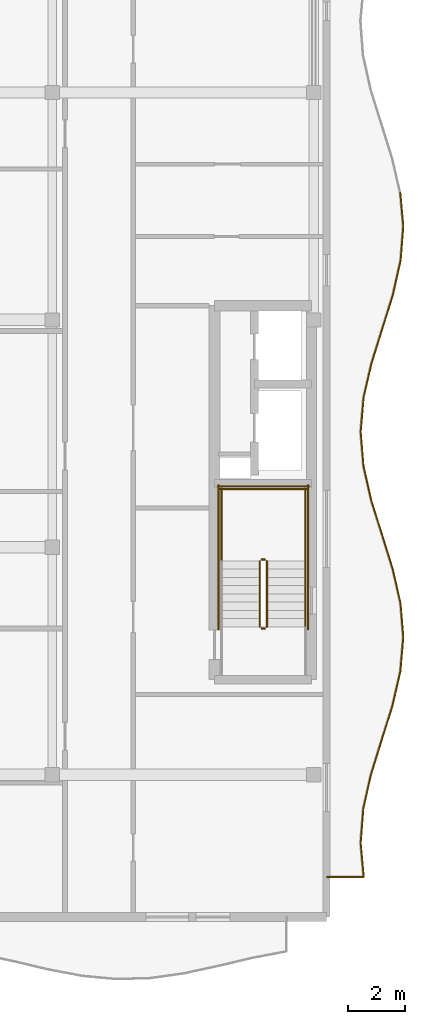
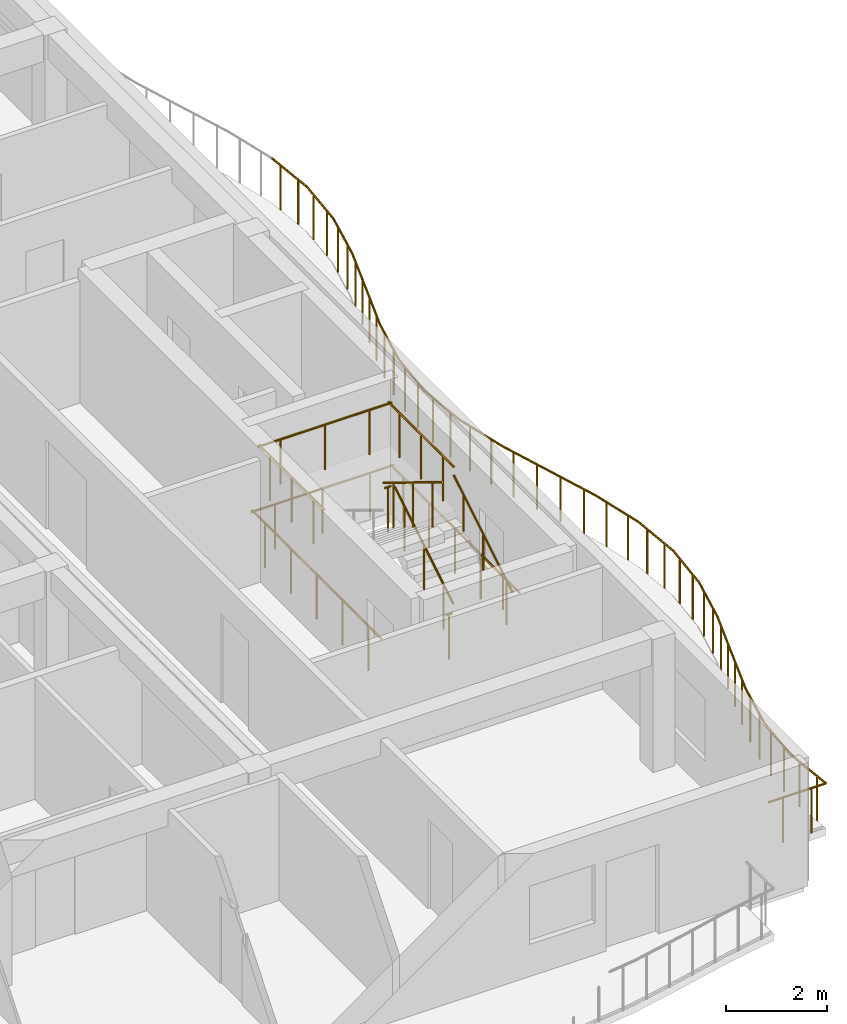
# One storey, part 38 of 39: 32 railings.
"""IFC4 building model written with IfcOpenShell, lengths in metres."""

from ifc_helpers import new_model, si_unit, direction, frame, origin, origin_2d, place, context, subcontext, project, spatial, circle, extrude, material, type_object, element, save


model = new_model("IFC4")

# Units and contexts
model_context = context("Model", 3, precision=1e-05, world=origin(), true_north=direction((0.0, 1.0)))
body_context = subcontext(model_context, "Body", "Model", "MODEL_VIEW")
ifc_project = project(units=[si_unit("LENGTHUNIT", "METRE"), si_unit("AREAUNIT", "SQUARE_METRE"), si_unit("VOLUMEUNIT", "CUBIC_METRE"), si_unit("PLANEANGLEUNIT", "RADIAN"), si_unit("MASSUNIT", "GRAM", prefix="KILO")], contexts=[model_context])

# Site, building, storey
site_placement = place(None, origin())
site = spatial("IfcSite", under=ifc_project, at=site_placement, CompositionType="ELEMENT")
building_placement = place(site_placement, origin())
building = spatial("IfcBuilding", under=site, at=building_placement, Name="Keldmere Railside Commons", CompositionType="ELEMENT")
storey_placement = place(building_placement, frame((0.0, 0.0, 32.9599609375)))
storey = spatial("IfcBuildingStorey", under=building, at=storey_placement, Name="L10", CompositionType="ELEMENT", Elevation=32.9599609375)

# Railings
ifc_material = material(Name="Steel F-24 (S235)", Category="steel")
railing_type_1 = type_object("IfcRailingType", Name="Balcony & Terrace Steel Balustrade 1100", PredefinedType="BALUSTRADE", material=ifc_material)
railing_1_placement = place(storey_placement, frame((184.0, 60.39990234375, 0.0)))
element("IfcRailing", 1, at=railing_1_placement, inside=storey, type_object=railing_type_1, Name="GR-1 GRD-L10-4362", PredefinedType="BALUSTRADE", context=body_context, shape_type="SweptSolid", body=[
    extrude(circle(Radius=0.02392578125, at=origin_2d()), frame((0.0, 0.0, 1.076171875), z_axis=(1.0, 0.0, 0.0), x_axis=(0.0, 1.0, 0.0)), (0.0, 0.0, 1.0), 1.308837890625),
    extrude(circle(Radius=0.02099609375, at=origin_2d()), frame((0.3271484375, 0.0, 0.0)), (0.0, 0.0, 1.0), 1.048095703125),
    extrude(circle(Radius=0.02099609375, at=origin_2d()), frame((0.981689453125, 0.0, 0.0)), (0.0, 0.0, 1.0), 1.048095703125),
])
railing_2_placement = place(storey_placement, frame((185.308837890625, 60.39990234375, 0.0)))
element("IfcRailing", 2, at=railing_2_placement, inside=storey, type_object=railing_type_1, Name="GR-1 GRD-L10-4363", PredefinedType="BALUSTRADE", context=body_context, shape_type="SweptSolid", body=[
    extrude(circle(Radius=0.02392578125, at=origin_2d()), frame((0.0, 0.0, 1.076171875), z_axis=(-0.089807862962, 0.995959109477, 0.0), x_axis=(-0.995959109477, -0.089807862962, 0.0)), (0.0, 0.0, 1.0), 1.209716796875),
    extrude(circle(Radius=0.02099609375, at=origin_2d()), frame((-0.027099609375, 0.30126953125, 0.0)), (0.0, 0.0, 1.0), 1.048095703125),
    extrude(circle(Radius=0.02099609375, at=origin_2d()), frame((-0.08154296875, 0.903564453125, 0.0)), (0.0, 0.0, 1.0), 1.048095703125),
])
railing_3_placement = place(storey_placement, frame((185.2001953125, 61.604736328125, 0.0)))
element("IfcRailing", 3, at=railing_3_placement, inside=storey, type_object=railing_type_1, Name="GR-1 GRD-L10-4364", PredefinedType="BALUSTRADE", context=body_context, shape_type="SweptSolid", body=[
    extrude(circle(Radius=0.02392578125, at=origin_2d()), frame((0.0, 0.0, 1.076171875), z_axis=(0.077592682401, 0.996985143138, 0.0), x_axis=(-0.996985143138, 0.077592682401, 0.0)), (0.0, 0.0, 1.0), 1.208251953125),
    extrude(circle(Radius=0.02099609375, at=origin_2d()), frame((0.0234375, 0.30126953125, 0.0)), (0.0, 0.0, 1.0), 1.048095703125),
    extrude(circle(Radius=0.02099609375, at=origin_2d()), frame((0.0703125, 0.9033203125, 0.0)), (0.0, 0.0, 1.0), 1.048095703125),
])
railing_4_placement = place(storey_placement, frame((185.2939453125, 62.809326171875, 0.0)))
element("IfcRailing", 4, at=railing_4_placement, inside=storey, type_object=railing_type_1, Name="GR-1 GRD-L10-4365", PredefinedType="BALUSTRADE", context=body_context, shape_type="SweptSolid", body=[
    extrude(circle(Radius=0.02392578125, at=origin_2d()), frame((0.0, 0.0, 1.076171875), z_axis=(0.219295744117, 0.975658432348, 0.0), x_axis=(-0.975658432348, 0.219295744117, 0.0)), (0.0, 0.0, 1.0), 1.234619140625),
    extrude(circle(Radius=0.02099609375, at=origin_2d()), frame((0.067626953125, 0.30126953125, 0.0)), (0.0, 0.0, 1.0), 1.048095703125),
    extrude(circle(Radius=0.02099609375, at=origin_2d()), frame((0.203125, 0.9033203125, 0.0)), (0.0, 0.0, 1.0), 1.048095703125),
])
railing_5_placement = place(storey_placement, frame((185.564697265625, 64.013916015625, 0.0)))
element("IfcRailing", 5, at=railing_5_placement, inside=storey, type_object=railing_type_1, Name="GR-1 GRD-L10-4366", PredefinedType="BALUSTRADE", context=body_context, shape_type="SweptSolid", body=[
    extrude(circle(Radius=0.02392578125, at=origin_2d()), frame((0.0, 0.0, 1.076171875), z_axis=(0.297239064551, 0.954803088864, 0.0), x_axis=(-0.954803088864, 0.297239064551, 0.0)), (0.0, 0.0, 1.0), 1.26171875),
    extrude(circle(Radius=0.02099609375, at=origin_2d()), frame((0.09375, 0.30126953125, 0.0)), (0.0, 0.0, 1.0), 1.048095703125),
    extrude(circle(Radius=0.02099609375, at=origin_2d()), frame((0.28125, 0.9033203125, 0.0)), (0.0, 0.0, 1.0), 1.048095703125),
])
railing_6_placement = place(storey_placement, frame((185.939697265625, 65.218505859375, 0.0)))
element("IfcRailing", 6, at=railing_6_placement, inside=storey, type_object=railing_type_1, Name="GR-1 GRD-L10-4367", PredefinedType="BALUSTRADE", context=body_context, shape_type="SweptSolid", body=[
    extrude(circle(Radius=0.02392578125, at=origin_2d()), frame((0.0, 0.0, 1.076171875), z_axis=(0.299122616758, 0.954214682419, 0.0), x_axis=(-0.954214682419, 0.299122616758, 0.0)), (0.0, 0.0, 1.0), 1.2626953125),
    extrude(circle(Radius=0.02099609375, at=origin_2d()), frame((0.094482421875, 0.30126953125, 0.0)), (0.0, 0.0, 1.0), 1.048095703125),
    extrude(circle(Radius=0.02099609375, at=origin_2d()), frame((0.283203125, 0.903564453125, 0.0)), (0.0, 0.0, 1.0), 1.048095703125),
])
railing_7_placement = place(storey_placement, frame((186.3173828125, 66.42333984375, 0.0)))
element("IfcRailing", 7, at=railing_7_placement, inside=storey, type_object=railing_type_1, Name="GR-1 GRD-L10-4368", PredefinedType="BALUSTRADE", context=body_context, shape_type="SweptSolid", body=[
    extrude(circle(Radius=0.02392578125, at=origin_2d()), frame((0.0, 0.0, 1.076171875), z_axis=(0.225119097915, 0.974331253606, 0.0), x_axis=(-0.974331253606, 0.225119097915, 0.0)), (0.0, 0.0, 1.0), 1.236328125),
    extrude(circle(Radius=0.02099609375, at=origin_2d()), frame((0.069580078125, 0.30126953125, 0.0)), (0.0, 0.0, 1.0), 1.048095703125),
    extrude(circle(Radius=0.02099609375, at=origin_2d()), frame((0.208740234375, 0.9033203125, 0.0)), (0.0, 0.0, 1.0), 1.048095703125),
])
railing_8_placement = place(storey_placement, frame((186.595703125, 67.6279296875, 0.0)))
element("IfcRailing", 8, at=railing_8_placement, inside=storey, type_object=railing_type_1, Name="GR-1 GRD-L10-4369", PredefinedType="BALUSTRADE", context=body_context, shape_type="SweptSolid", body=[
    extrude(circle(Radius=0.02392578125, at=origin_2d()), frame((0.0, 0.0, 1.076171875), z_axis=(0.086220085329, 0.996276114782, 0.0), x_axis=(-0.996276114782, 0.086220085329, 0.0)), (0.0, 0.0, 1.0), 1.208984375),
    extrude(circle(Radius=0.02099609375, at=origin_2d()), frame((0.026123046875, 0.30126953125, 0.0)), (0.0, 0.0, 1.0), 1.048095703125),
    extrude(circle(Radius=0.02099609375, at=origin_2d()), frame((0.078125, 0.9033203125, 0.0)), (0.0, 0.0, 1.0), 1.048095703125),
])
railing_9_placement = place(storey_placement, frame((186.699951171875, 68.83251953125, 0.0)))
element("IfcRailing", 9, at=railing_9_placement, inside=storey, type_object=railing_type_1, Name="GR-1 GRD-L10-4370", PredefinedType="BALUSTRADE", context=body_context, shape_type="SweptSolid", body=[
    extrude(circle(Radius=0.02392578125, at=origin_2d()), frame((0.0, 0.0, 1.076171875), z_axis=(-0.081206387834, 0.996697307398, 0.0), x_axis=(-0.996697307398, -0.081206387834, 0.0)), (0.0, 0.0, 1.0), 1.20849609375),
    extrude(circle(Radius=0.02099609375, at=origin_2d()), frame((-0.0244140625, 0.30126953125, 0.0)), (0.0, 0.0, 1.0), 1.048095703125),
    extrude(circle(Radius=0.02099609375, at=origin_2d()), frame((-0.07373046875, 0.9033203125, 0.0)), (0.0, 0.0, 1.0), 1.048095703125),
])
railing_10_placement = place(storey_placement, frame((186.601806640625, 70.037109375, 0.0)))
element("IfcRailing", 10, at=railing_10_placement, inside=storey, type_object=railing_type_1, Name="GR-1 GRD-L10-4371", PredefinedType="BALUSTRADE", context=body_context, shape_type="SweptSolid", body=[
    extrude(circle(Radius=0.02392578125, at=origin_2d()), frame((0.0, 0.0, 1.076171875), z_axis=(-0.222073676581, 0.975029887834, 0.0), x_axis=(-0.975029887834, -0.222073676581, 0.0)), (0.0, 0.0, 1.0), 1.235595703125),
    extrude(circle(Radius=0.02099609375, at=origin_2d()), frame((-0.068603515625, 0.30126953125, 0.0)), (0.0, 0.0, 1.0), 1.048095703125),
    extrude(circle(Radius=0.02099609375, at=origin_2d()), frame((-0.205810546875, 0.903564453125, 0.0)), (0.0, 0.0, 1.0), 1.048095703125),
])
railing_11_placement = place(storey_placement, frame((186.327392578125, 71.241943359375, 0.0)))
element("IfcRailing", 11, at=railing_11_placement, inside=storey, type_object=railing_type_1, Name="GR-1 GRD-L10-4372", PredefinedType="BALUSTRADE", context=body_context, shape_type="SweptSolid", body=[
    extrude(circle(Radius=0.02392578125, at=origin_2d()), frame((0.0, 0.0, 1.076171875), z_axis=(-0.297944491927, 0.954583196862, 0.0), x_axis=(-0.954583196862, -0.297944491927, 0.0)), (0.0, 0.0, 1.0), 1.261962890625),
    extrude(circle(Radius=0.02099609375, at=origin_2d()), frame((-0.093994140625, 0.30126953125, 0.0)), (0.0, 0.0, 1.0), 1.048095703125),
    extrude(circle(Radius=0.02099609375, at=origin_2d()), frame((-0.281982421875, 0.9033203125, 0.0)), (0.0, 0.0, 1.0), 1.048095703125),
])
railing_12_placement = place(storey_placement, frame((185.951416015625, 72.446533203125, 0.0)))
element("IfcRailing", 12, at=railing_12_placement, inside=storey, type_object=railing_type_1, Name="GR-1 GRD-L10-4373", PredefinedType="BALUSTRADE", context=body_context, shape_type="SweptSolid", body=[
    extrude(circle(Radius=0.02392578125, at=origin_2d()), frame((0.0, 0.0, 1.076171875), z_axis=(-0.298473242385, 0.954418002544, 0.0), x_axis=(-0.954418002544, -0.298473242385, 0.0)), (0.0, 0.0, 1.0), 1.26220703125),
    extrude(circle(Radius=0.02099609375, at=origin_2d()), frame((-0.09423828125, 0.30126953125, 0.0)), (0.0, 0.0, 1.0), 1.048095703125),
    extrude(circle(Radius=0.02099609375, at=origin_2d()), frame((-0.282470703125, 0.9033203125, 0.0)), (0.0, 0.0, 1.0), 1.048095703125),
])
railing_13_placement = place(storey_placement, frame((185.57470703125, 73.651123046875, 0.0)))
element("IfcRailing", 13, at=railing_13_placement, inside=storey, type_object=railing_type_1, Name="GR-1 GRD-L10-4374", PredefinedType="BALUSTRADE", context=body_context, shape_type="SweptSolid", body=[
    extrude(circle(Radius=0.02392578125, at=origin_2d()), frame((0.0, 0.0, 1.076171875), z_axis=(-0.22267994318, 0.974891605721, 0.0), x_axis=(-0.974891605721, -0.22267994318, 0.0)), (0.0, 0.0, 1.0), 1.235595703125),
    extrude(circle(Radius=0.02099609375, at=origin_2d()), frame((-0.06884765625, 0.30126953125, 0.0)), (0.0, 0.0, 1.0), 1.048095703125),
    extrude(circle(Radius=0.02099609375, at=origin_2d()), frame((-0.206298828125, 0.9033203125, 0.0)), (0.0, 0.0, 1.0), 1.048095703125),
])
railing_14_placement = place(storey_placement, frame((185.299560546875, 74.855712890625, 0.0)))
element("IfcRailing", 14, at=railing_14_placement, inside=storey, type_object=railing_type_1, Name="GR-1 GRD-L10-4375", PredefinedType="BALUSTRADE", context=body_context, shape_type="SweptSolid", body=[
    extrude(circle(Radius=0.02392578125, at=origin_2d()), frame((0.0, 0.0, 1.076171875), z_axis=(-0.082393666353, 0.996599861401, 0.0), x_axis=(-0.996599861401, -0.082393666353, 0.0)), (0.0, 0.0, 1.0), 1.208984375),
    extrude(circle(Radius=0.02099609375, at=origin_2d()), frame((-0.02490234375, 0.30126953125, 0.0)), (0.0, 0.0, 1.0), 1.048095703125),
    extrude(circle(Radius=0.02099609375, at=origin_2d()), frame((-0.07470703125, 0.903564453125, 0.0)), (0.0, 0.0, 1.0), 1.048095703125),
])
railing_15_placement = place(storey_placement, frame((185.199951171875, 76.060546875, 0.0)))
element("IfcRailing", 15, at=railing_15_placement, inside=storey, type_object=railing_type_1, Name="GR-1 GRD-L10-4376", PredefinedType="BALUSTRADE", context=body_context, shape_type="SweptSolid", body=[
    extrude(circle(Radius=0.02392578125, at=origin_2d()), frame((0.0, 0.0, 1.076171875), z_axis=(0.085217857392, 0.996362342113, 0.0), x_axis=(-0.996362342113, 0.085217857392, 0.0)), (0.0, 0.0, 1.0), 1.208984375),
    extrude(circle(Radius=0.02099609375, at=origin_2d()), frame((0.02587890625, 0.30126953125, 0.0)), (0.0, 0.0, 1.0), 1.048095703125),
    extrude(circle(Radius=0.02099609375, at=origin_2d()), frame((0.0771484375, 0.9033203125, 0.0)), (0.0, 0.0, 1.0), 1.048095703125),
])
railing_16_placement = place(storey_placement, frame((185.302978515625, 77.26513671875, 0.0)))
element("IfcRailing", 16, at=railing_16_placement, inside=storey, type_object=railing_type_1, Name="GR-1 GRD-L10-4377", PredefinedType="BALUSTRADE", context=body_context, shape_type="SweptSolid", body=[
    extrude(circle(Radius=0.02392578125, at=origin_2d()), frame((0.0, 0.0, 1.076171875), z_axis=(0.224556589758, 0.974461050015, 0.0), x_axis=(-0.974461050015, 0.224556589758, 0.0)), (0.0, 0.0, 1.0), 1.236083984375),
    extrude(circle(Radius=0.02099609375, at=origin_2d()), frame((0.0693359375, 0.30126953125, 0.0)), (0.0, 0.0, 1.0), 1.048095703125),
    extrude(circle(Radius=0.02099609375, at=origin_2d()), frame((0.208251953125, 0.9033203125, 0.0)), (0.0, 0.0, 1.0), 1.048095703125),
])
railing_17_placement = place(storey_placement, frame((185.58056640625, 78.4697265625, 0.0)))
element("IfcRailing", 17, at=railing_17_placement, inside=storey, type_object=railing_type_1, Name="GR-1 GRD-L10-4378", PredefinedType="BALUSTRADE", context=body_context, shape_type="SweptSolid", body=[
    extrude(circle(Radius=0.02392578125, at=origin_2d()), frame((0.0, 0.0, 1.076171875), z_axis=(0.299001718164, 0.954252572716, 0.0), x_axis=(-0.954252572716, 0.299001718164, 0.0)), (0.0, 0.0, 1.0), 1.262451171875),
    extrude(circle(Radius=0.02099609375, at=origin_2d()), frame((0.09423828125, 0.30126953125, 0.0)), (0.0, 0.0, 1.0), 1.048095703125),
    extrude(circle(Radius=0.02099609375, at=origin_2d()), frame((0.283203125, 0.9033203125, 0.0)), (0.0, 0.0, 1.0), 1.048095703125),
])
railing_18_placement = place(storey_placement, frame((185.9580078125, 79.67431640625, 0.0)))
element("IfcRailing", 18, at=railing_18_placement, inside=storey, type_object=railing_type_1, Name="GR-1 GRD-L10-4379", PredefinedType="BALUSTRADE", context=body_context, shape_type="SweptSolid", body=[
    extrude(circle(Radius=0.02392578125, at=origin_2d()), frame((0.0, 0.0, 1.076171875), z_axis=(0.297184153719, 0.954820181384, 0.0), x_axis=(-0.954820181384, 0.297184153719, 0.0)), (0.0, 0.0, 1.0), 1.261962890625),
    extrude(circle(Radius=0.02099609375, at=origin_2d()), frame((0.09375, 0.30126953125, 0.0)), (0.0, 0.0, 1.0), 1.048095703125),
    extrude(circle(Radius=0.02099609375, at=origin_2d()), frame((0.28125, 0.903564453125, 0.0)), (0.0, 0.0, 1.0), 1.048095703125),
])
railing_19_placement = place(storey_placement, frame((186.3330078125, 80.879150390625, 0.0)))
element("IfcRailing", 19, at=railing_19_placement, inside=storey, type_object=railing_type_1, Name="GR-1 GRD-L10-4380", PredefinedType="BALUSTRADE", context=body_context, shape_type="SweptSolid", body=[
    extrude(circle(Radius=0.02392578125, at=origin_2d()), frame((0.0, 0.0, 1.076171875), z_axis=(0.22023659942, 0.975446482528, 0.0), x_axis=(-0.975446482528, 0.22023659942, 0.0)), (0.0, 0.0, 1.0), 1.23486328125),
    extrude(circle(Radius=0.02099609375, at=origin_2d()), frame((0.06787109375, 0.30126953125, 0.0)), (0.0, 0.0, 1.0), 1.048095703125),
    extrude(circle(Radius=0.02099609375, at=origin_2d()), frame((0.2041015625, 0.9033203125, 0.0)), (0.0, 0.0, 1.0), 1.048095703125),
])
railing_20_placement = place(storey_placement, frame((186.60498046875, 82.083740234375, 0.0)))
element("IfcRailing", 20, at=railing_20_placement, inside=storey, type_object=railing_type_1, Name="GR-1 GRD-L10-4381", PredefinedType="BALUSTRADE", context=body_context, shape_type="SweptSolid", body=[
    extrude(circle(Radius=0.02392578125, at=origin_2d()), frame((0.0, 0.0, 1.076171875), z_axis=(0.078596802435, 0.99690648641, 0.0), x_axis=(-0.99690648641, 0.078596802435, 0.0)), (0.0, 0.0, 1.0), 1.208251953125),
    extrude(circle(Radius=0.02099609375, at=origin_2d()), frame((0.023681640625, 0.30126953125, 0.0)), (0.0, 0.0, 1.0), 1.048095703125),
    extrude(circle(Radius=0.02099609375, at=origin_2d()), frame((0.0712890625, 0.9033203125, 0.0)), (0.0, 0.0, 1.0), 1.048095703125),
])
railing_21_placement = place(storey_placement, frame((186.699951171875, 83.288330078125, 0.0)))
element("IfcRailing", 21, at=railing_21_placement, inside=storey, type_object=railing_type_1, Name="GR-1 GRD-L10-4382", PredefinedType="BALUSTRADE", context=body_context, shape_type="SweptSolid", body=[
    extrude(circle(Radius=0.02392578125, at=origin_2d()), frame((0.0, 0.0, 1.076171875), z_axis=(-0.089024921944, 0.9960293988, 0.0), x_axis=(-0.9960293988, -0.089024921944, 0.0)), (0.0, 0.0, 1.0), 1.20947265625),
    extrude(circle(Radius=0.02099609375, at=origin_2d()), frame((-0.02685546875, 0.30126953125, 0.0)), (0.0, 0.0, 1.0), 1.048095703125),
    extrude(circle(Radius=0.02099609375, at=origin_2d()), frame((-0.080810546875, 0.9033203125, 0.0)), (0.0, 0.0, 1.0), 1.048095703125),
])
railing_type_2 = type_object("IfcRailingType", Name="Stair Well Steel Guardrail 1100", PredefinedType="BALUSTRADE", material=ifc_material)
railing_22_placement = place(storey_placement, frame((181.89990234375, 69.199951171875, 0.177734375)))
element("IfcRailing", 22, at=railing_22_placement, inside=storey, type_object=railing_type_2, Name="L10 ST-A1 stair guard 1", PredefinedType="BALUSTRADE", context=body_context, shape_type="SweptSolid", body=[
    extrude(circle(Radius=0.02392578125, at=origin_2d()), frame((0.0, 0.0, 1.076171875), z_axis=(0.0, 0.852538067394, 0.522665135287), x_axis=(-1.0, 0.0, 0.0)), (0.0, 0.0, 1.0), 2.721435546875),
    extrude(circle(Radius=0.02099609375, at=origin_2d()), frame((0.0, 0.38671875, 0.237060546875)), (0.0, 0.0, 1.0), 1.048095703125),
    extrude(circle(Radius=0.02099609375, at=origin_2d()), frame((0.0, 1.16015625, 0.711181640625)), (0.0, 0.0, 1.0), 1.048095703125),
    extrude(circle(Radius=0.02099609375, at=origin_2d()), frame((0.0, 1.933349609375, 1.185302734375)), (0.0, 0.0, 1.0), 1.048095703125),
])
railing_23_placement = place(storey_placement, frame((181.85009765625, 71.570068359375, 1.60009765625)))
element("IfcRailing", 23, at=railing_23_placement, inside=storey, type_object=railing_type_2, Name="L10 ST-A1 stair guard 2", PredefinedType="BALUSTRADE", context=body_context, shape_type="SweptSolid", body=[
    extrude(circle(Radius=0.02392578125, at=origin_2d()), frame((0.0, 0.0, 1.076171875), z_axis=(-1.0, 0.0, 0.0), x_axis=(0.0, -1.0, 0.0)), (0.0, 0.0, 1.0), 0.150146484375),
    extrude(circle(Radius=0.02099609375, at=origin_2d()), frame((-0.0751953125, 0.0, 0.0)), (0.0, 0.0, 1.0), 1.048095703125),
])
for number, where, name in (
    (24, (183.25, 71.52001953125, 1.60009765625), "L10 ST-A1 stair guard 3"),
    (25, (180.300048828125, 71.52001953125, 1.60009765625), "L10 ST-A1 stair guard 4"),
):
    element("IfcRailing", number, at=place(storey_placement, frame(where)), inside=storey, type_object=railing_type_2, Name=name, PredefinedType="BALUSTRADE", context=body_context, shape_type="SweptSolid", body=[
        extrude(circle(Radius=0.02392578125, at=origin_2d()), frame((0.0, 0.0, 1.076171875), z_axis=(0.0, 1.0, 0.0), x_axis=(-1.0, 0.0, 0.0)), (0.0, 0.0, 1.0), 2.580078125),
        extrude(circle(Radius=0.02099609375, at=origin_2d()), frame((0.0, 0.429931640625, 0.0)), (0.0, 0.0, 1.0), 1.048095703125),
        extrude(circle(Radius=0.02099609375, at=origin_2d()), frame((0.0, 1.2900390625, 0.0)), (0.0, 0.0, 1.0), 1.048095703125),
        extrude(circle(Radius=0.02099609375, at=origin_2d()), frame((0.0, 2.150146484375, 0.0)), (0.0, 0.0, 1.0), 1.048095703125),
    ])
railing_24_placement = place(storey_placement, frame((183.300048828125, 74.050048828125, 1.60009765625)))
element("IfcRailing", 26, at=railing_24_placement, inside=storey, type_object=railing_type_2, Name="L10 ST-A1 stair guard 5", PredefinedType="BALUSTRADE", context=body_context, shape_type="SweptSolid", body=[
    extrude(circle(Radius=0.02392578125, at=origin_2d()), frame((0.0, 0.0, 1.076171875), z_axis=(-1.0, 0.0, 0.0), x_axis=(0.0, -1.0, 0.0)), (0.0, 0.0, 1.0), 3.050048828125),
    extrude(circle(Radius=0.02099609375, at=origin_2d()), frame((-0.50830078125, 0.0, 0.0)), (0.0, 0.0, 1.0), 1.048095703125),
    extrude(circle(Radius=0.02099609375, at=origin_2d()), frame((-1.52490234375, 0.0, 0.0)), (0.0, 0.0, 1.0), 1.048095703125),
    extrude(circle(Radius=0.02099609375, at=origin_2d()), frame((-2.541748046875, 0.0, 0.0)), (0.0, 0.0, 1.0), 1.048095703125),
])
railing_25_placement = place(storey_placement, frame((181.64990234375, 71.52001953125, 1.77783203125)))
element("IfcRailing", 27, at=railing_25_placement, inside=storey, type_object=railing_type_2, Name="L10 ST-A1 stair guard 6", PredefinedType="BALUSTRADE", context=body_context, shape_type="SweptSolid", body=[
    extrude(circle(Radius=0.02392578125, at=origin_2d()), frame((0.0, 0.0, 1.076171875), z_axis=(0.0, -0.852578041948, 0.522599925744), x_axis=(1.0, 0.0, 0.0)), (0.0, 0.0, 1.0), 2.72119140625),
    extrude(circle(Radius=0.02099609375, at=origin_2d()), frame((0.0, -0.38671875, 0.237060546875)), (0.0, 0.0, 1.0), 1.048095703125),
    extrude(circle(Radius=0.02099609375, at=origin_2d()), frame((0.0, -1.16015625, 0.7109375)), (0.0, 0.0, 1.0), 1.048095703125),
    extrude(circle(Radius=0.02099609375, at=origin_2d()), frame((0.0, -1.933349609375, 1.18505859375)), (0.0, 0.0, 1.0), 1.048095703125),
])
railing_26_placement = place(storey_placement, frame((181.85009765625, 69.14990234375, 0.0)))
element("IfcRailing", 28, at=railing_26_placement, inside=storey, type_object=railing_type_2, Name="L10 ST-A1 stair guard 7", PredefinedType="BALUSTRADE", context=body_context, shape_type="SweptSolid", body=[
    extrude(circle(Radius=0.02392578125, at=origin_2d()), frame((0.0, 0.0, 1.076171875), z_axis=(-1.0, 0.0, 0.0), x_axis=(0.0, -1.0, 0.0)), (0.0, 0.0, 1.0), 0.150146484375),
    extrude(circle(Radius=0.02099609375, at=origin_2d()), frame((-0.0751953125, 0.0, 0.0)), (0.0, 0.0, 1.0), 1.048095703125),
])
for number, where, name in (
    (29, (183.35009765625, 69.10009765625, 0.0), "L10 ST-A1 stair guard 10"),
    (30, (180.199951171875, 69.10009765625, 0.0), "L10 ST-A1 stair guard 11"),
):
    element("IfcRailing", number, at=place(storey_placement, frame(where)), inside=storey, type_object=railing_type_2, Name=name, PredefinedType="BALUSTRADE", context=body_context, shape_type="SweptSolid", body=[
        extrude(circle(Radius=0.02392578125, at=origin_2d()), frame((0.0, 0.0, 1.076171875), z_axis=(0.0, 1.0, 0.0), x_axis=(-1.0, 0.0, 0.0)), (0.0, 0.0, 1.0), 5.099853515625),
        extrude(circle(Radius=0.02099609375, at=origin_2d()), frame((0.0, 0.510009765625, 0.0)), (0.0, 0.0, 1.0), 1.048095703125),
        extrude(circle(Radius=0.02099609375, at=origin_2d()), frame((0.0, 1.530029296875, 0.0)), (0.0, 0.0, 1.0), 1.048095703125),
        extrude(circle(Radius=0.02099609375, at=origin_2d()), frame((0.0, 2.5498046875, 0.0)), (0.0, 0.0, 1.0), 1.048095703125),
        extrude(circle(Radius=0.02099609375, at=origin_2d()), frame((0.0, 3.56982421875, 0.0)), (0.0, 0.0, 1.0), 1.048095703125),
        extrude(circle(Radius=0.02099609375, at=origin_2d()), frame((0.0, 4.58984375, 0.0)), (0.0, 0.0, 1.0), 1.048095703125),
    ])
railing_27_placement = place(storey_placement, frame((183.39990234375, 74.14990234375, 0.0)))
element("IfcRailing", 31, at=railing_27_placement, inside=storey, type_object=railing_type_2, Name="L10 ST-A1 stair guard 12", PredefinedType="BALUSTRADE", context=body_context, shape_type="SweptSolid", body=[
    extrude(circle(Radius=0.02392578125, at=origin_2d()), frame((0.0, 0.0, 1.076171875), z_axis=(-1.0, 0.0, 0.0), x_axis=(0.0, -1.0, 0.0)), (0.0, 0.0, 1.0), 3.25),
    extrude(circle(Radius=0.02099609375, at=origin_2d()), frame((-0.541748046875, 0.0, 0.0)), (0.0, 0.0, 1.0), 1.048095703125),
    extrude(circle(Radius=0.02099609375, at=origin_2d()), frame((-1.625, 0.0, 0.0)), (0.0, 0.0, 1.0), 1.048095703125),
    extrude(circle(Radius=0.02099609375, at=origin_2d()), frame((-2.708251953125, 0.0, 0.0)), (0.0, 0.0, 1.0), 1.048095703125),
])
railing_type_3 = type_object("IfcRailingType", Name="Wall-Mounted Tubular Steel Handrail 900", PredefinedType="HANDRAIL", material=ifc_material)
railing_28_placement = place(storey_placement, frame((183.25, 69.199951171875, 0.177734375)))
element("IfcRailing", 32, at=railing_28_placement, inside=storey, type_object=railing_type_3, Name="L10 ST-A1 stair handrail 1", PredefinedType="HANDRAIL", context=body_context, shape_type="SweptSolid", body=[
    extrude(circle(Radius=0.02392578125, at=origin_2d()), frame((0.0, 0.0, 0.8759765625), z_axis=(0.0, 0.852538067394, 0.522665135287), x_axis=(-1.0, 0.0, 0.0)), (0.0, 0.0, 1.0), 2.721435546875),
    extrude(circle(Radius=0.02099609375, at=origin_2d()), frame((0.0, 0.38671875, 0.237060546875)), (0.0, 0.0, 1.0), 0.847900390625),
    extrude(circle(Radius=0.02099609375, at=origin_2d()), frame((0.0, 1.16015625, 0.711181640625)), (0.0, 0.0, 1.0), 0.847900390625),
    extrude(circle(Radius=0.02099609375, at=origin_2d()), frame((0.0, 1.933349609375, 1.185302734375)), (0.0, 0.0, 1.0), 0.847900390625),
])

save(model, "model.ifc")
